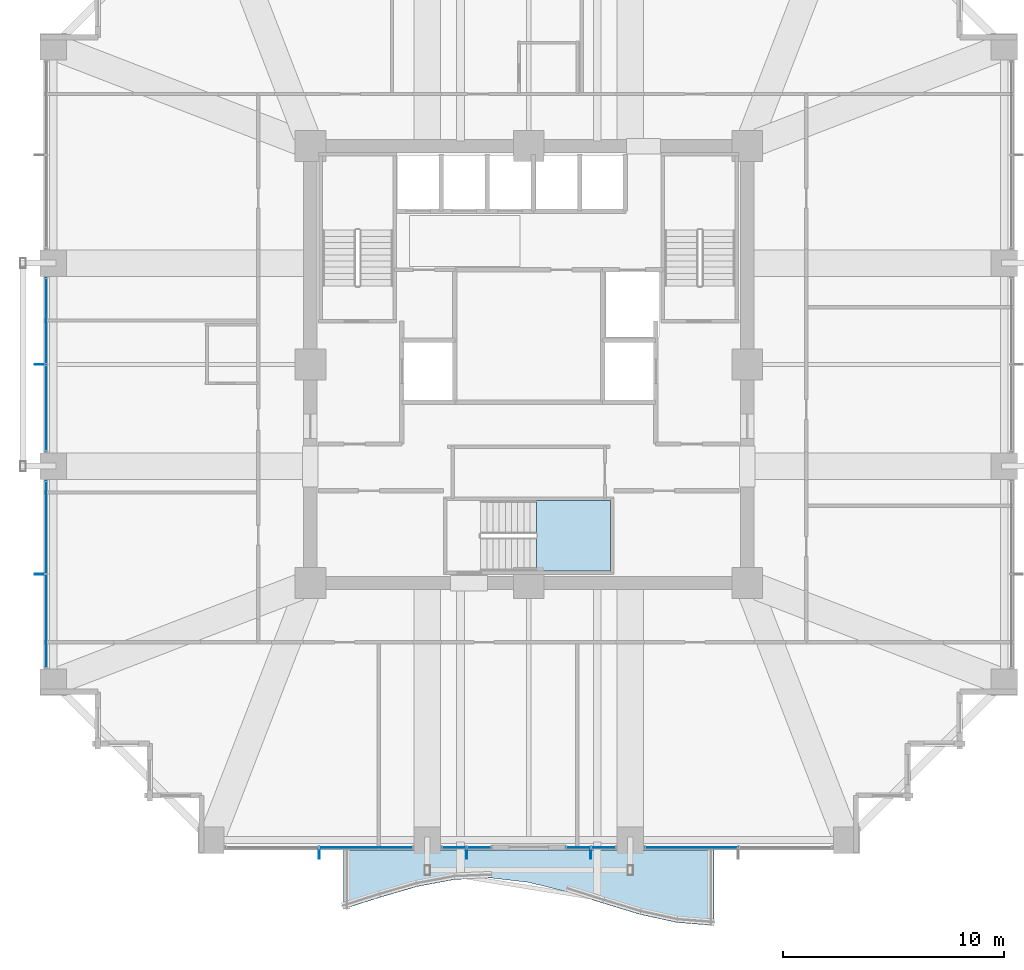
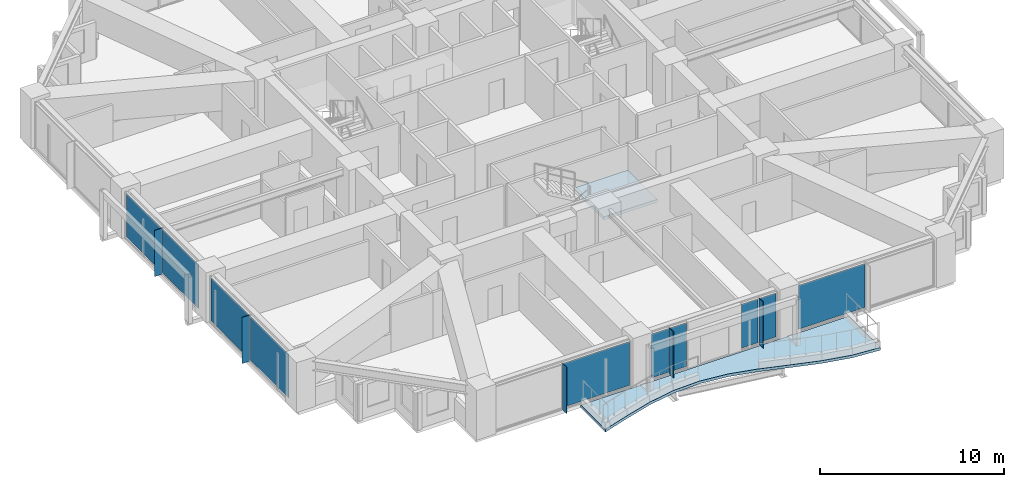
# One storey, part 26 of 37: 15 plates, 2 slabs, 7 elements without a shape of their own.
"""IFC4 building model written with IfcOpenShell, lengths in metres."""

from ifc_helpers import new_model, si_unit, direction, frame, origin, origin_2d, place, context, subcontext, project, spatial, polyline, rectangle, outline, extrude, material, layer, layer_set, type_object, element, aggregate, save


model = new_model("IFC4")

# Units and contexts
model_context = context("Model", 3, precision=1e-05, world=origin(), true_north=direction((0.0, 1.0)))
body_context = subcontext(model_context, "Body", "Model", "MODEL_VIEW")
ifc_project = project(units=[si_unit("LENGTHUNIT", "METRE"), si_unit("AREAUNIT", "SQUARE_METRE"), si_unit("VOLUMEUNIT", "CUBIC_METRE"), si_unit("PLANEANGLEUNIT", "RADIAN"), si_unit("MASSUNIT", "GRAM", prefix="KILO")], contexts=[model_context])

# Site, building, storey
site_placement = place(None, origin())
site = spatial("IfcSite", under=ifc_project, at=site_placement, CompositionType="ELEMENT")
building_placement = place(site_placement, origin())
building = spatial("IfcBuilding", under=site, at=building_placement, Name="Kolvaren Belvedere", CompositionType="ELEMENT")
storey_placement = place(building_placement, frame((0.0, 0.0, 56.800048828125)))
storey = spatial("IfcBuildingStorey", under=building, at=storey_placement, Name="L16", CompositionType="ELEMENT", Elevation=56.800048828125)

# Curtain wall, plate
ifc_material_1 = material(Name="Anodised pale-metal aluminium AA 6063-T6", Category="aluminium")
curtain_wall_type = type_object("IfcCurtainWallType", Name="CW-Z1-LOW", PredefinedType="NOTDEFINED", material=ifc_material_1)
curtain_wall_1_placement = place(storey_placement, origin())
curtain_wall_1 = element("IfcCurtainWall", 1, at=curtain_wall_1_placement, inside=storey, type_object=curtain_wall_type, Name="L16 Unitised Curtain Wall FCW-L16-S1-B1", PredefinedType="NOTDEFINED")
ifc_material_2 = material(Name="Low-iron triple insulated glass", Category="glass")
ifc_layer_1 = layer(ifc_material_2, 0.028076171875)
ifc_layer_set_1 = layer_set([ifc_layer_1], Name="Low-iron triple insulated glass")
plate_type_1 = type_object("IfcPlateType", Name="CW-PNL-VIS28", PredefinedType="CURTAIN_PANEL", material=ifc_layer_set_1)
plate_1_placement = place(storey_placement, frame((7.37744140625, -21.8798828125, 0.080078125), z_axis=(0.0, 0.0, 1.0), x_axis=(-1.0, 0.0, 0.0)))
plate_1 = element("IfcPlate", 2, at=plate_1_placement, type_object=plate_type_1, Name="FCW-L16-S1-B1 Vision Glazing Panel 2", PredefinedType="CURTAIN_PANEL", context=body_context, shape_type="SweptSolid", body=[
    extrude(rectangle(XDim=4.1650390625, YDim=0.028076171875, at=origin_2d()), origin(), (0.0, 0.0, 1.0), 2.89990234375),
])
aggregate(curtain_wall_1, [plate_1])

# Curtain wall, plates
curtain_wall_2_placement = place(storey_placement, origin())
curtain_wall_2 = element("IfcCurtainWall", 3, at=curtain_wall_2_placement, inside=storey, type_object=curtain_wall_type, Name="L16 Unitised Curtain Wall FCW-L16-S1-B2", PredefinedType="NOTDEFINED")
plate_2_placement = place(storey_placement, frame((3.37890625, -21.8798828125, 0.080078125), z_axis=(0.0, 0.0, 1.0), x_axis=(-1.0, 0.0, 0.0)))
plate_2 = element("IfcPlate", 4, at=plate_2_placement, type_object=plate_type_1, Name="FCW-L16-S1-B2 Vision Glazing Panel 1", PredefinedType="CURTAIN_PANEL", context=body_context, shape_type="SweptSolid", body=[
    extrude(rectangle(XDim=1.052490234375, YDim=0.028076171875, at=origin_2d()), origin(), (0.0, 0.0, 1.0), 2.89990234375),
])
plate_3_placement = place(storey_placement, frame((2.24609375, -21.8798828125, 0.080078125), z_axis=(0.0, 0.0, 1.0), x_axis=(-1.0, 0.0, 0.0)))
plate_3 = element("IfcPlate", 5, at=plate_3_placement, type_object=plate_type_1, Name="FCW-L16-S1-B2 Vision Glazing Panel 2", PredefinedType="CURTAIN_PANEL", context=body_context, shape_type="SweptSolid", body=[
    extrude(rectangle(XDim=1.052490234375, YDim=0.028076171875, at=origin_2d()), origin(), (0.0, 0.0, 1.0), 2.89990234375),
])
aggregate(curtain_wall_2, [plate_2, plate_3])

curtain_wall_3_placement = place(storey_placement, origin())
curtain_wall_3 = element("IfcCurtainWall", 6, at=curtain_wall_3_placement, inside=storey, type_object=curtain_wall_type, Name="L16 Unitised Curtain Wall FCW-L16-S2-B1", PredefinedType="NOTDEFINED")
plate_4_placement = place(storey_placement, frame((-2.24609375, -21.8798828125, 0.080078125), z_axis=(0.0, 0.0, 1.0), x_axis=(-1.0, 0.0, 0.0)))
plate_4 = element("IfcPlate", 7, at=plate_4_placement, type_object=plate_type_1, Name="FCW-L16-S2-B1 Vision Glazing Panel 1", PredefinedType="CURTAIN_PANEL", context=body_context, shape_type="SweptSolid", body=[
    extrude(rectangle(XDim=1.052490234375, YDim=0.028076171875, at=origin_2d()), origin(), (0.0, 0.0, 1.0), 2.89990234375),
])
plate_5_placement = place(storey_placement, frame((-3.378662109375, -21.8798828125, 0.080078125), z_axis=(0.0, 0.0, 1.0), x_axis=(-1.0, 0.0, 0.0)))
plate_5 = element("IfcPlate", 8, at=plate_5_placement, type_object=plate_type_1, Name="FCW-L16-S2-B1 Vision Glazing Panel 2", PredefinedType="CURTAIN_PANEL", context=body_context, shape_type="SweptSolid", body=[
    extrude(rectangle(XDim=1.052490234375, YDim=0.028076171875, at=origin_2d()), origin(), (0.0, 0.0, 1.0), 2.89990234375),
])
aggregate(curtain_wall_3, [plate_4, plate_5])

# Curtain wall, plate
curtain_wall_4_placement = place(storey_placement, origin())
curtain_wall_4 = element("IfcCurtainWall", 9, at=curtain_wall_4_placement, inside=storey, type_object=curtain_wall_type, Name="L16 Unitised Curtain Wall FCW-L16-S2-B2", PredefinedType="NOTDEFINED")
plate_6_placement = place(storey_placement, frame((-7.37744140625, -21.8798828125, 0.080078125), z_axis=(0.0, 0.0, 1.0), x_axis=(-1.0, 0.0, 0.0)))
plate_6 = element("IfcPlate", 10, at=plate_6_placement, type_object=plate_type_1, Name="FCW-L16-S2-B2 Vision Glazing Panel 1", PredefinedType="CURTAIN_PANEL", context=body_context, shape_type="SweptSolid", body=[
    extrude(rectangle(XDim=4.1650390625, YDim=0.028076171875, at=origin_2d()), origin(), (0.0, 0.0, 1.0), 2.89990234375),
])
aggregate(curtain_wall_4, [plate_6])

# Curtain wall, plates
curtain_wall_5_placement = place(storey_placement, origin())
curtain_wall_5 = element("IfcCurtainWall", 11, at=curtain_wall_5_placement, inside=storey, type_object=curtain_wall_type, Name="L16 Unitised Curtain Wall FCW-L16-W-B1", PredefinedType="NOTDEFINED")
plate_7_placement = place(storey_placement, frame((-21.8798828125, -11.62255859375, 0.080078125), z_axis=(0.0, 0.0, 1.0), x_axis=(0.0, 1.0, 0.0)))
plate_7 = element("IfcPlate", 12, at=plate_7_placement, type_object=plate_type_1, Name="FCW-L16-W-B1 Vision Glazing Panel 1", PredefinedType="CURTAIN_PANEL", context=body_context, shape_type="SweptSolid", body=[
    extrude(rectangle(XDim=4.1650390625, YDim=0.028076171875, at=origin_2d()), origin(), (0.0, 0.0, 1.0), 2.89990234375),
])
plate_8_placement = place(storey_placement, frame((-21.8798828125, -7.37744140625, 0.080078125), z_axis=(0.0, 0.0, 1.0), x_axis=(0.0, 1.0, 0.0)))
plate_8 = element("IfcPlate", 13, at=plate_8_placement, type_object=plate_type_1, Name="FCW-L16-W-B1 Vision Glazing Panel 2", PredefinedType="CURTAIN_PANEL", context=body_context, shape_type="SweptSolid", body=[
    extrude(rectangle(XDim=4.1650390625, YDim=0.028076171875, at=origin_2d()), origin(), (0.0, 0.0, 1.0), 2.89990234375),
])
aggregate(curtain_wall_5, [plate_7, plate_8])

curtain_wall_6_placement = place(storey_placement, origin())
curtain_wall_6 = element("IfcCurtainWall", 14, at=curtain_wall_6_placement, inside=storey, type_object=curtain_wall_type, Name="L16 Unitised Curtain Wall FCW-L16-W-B2", PredefinedType="NOTDEFINED")
plate_9_placement = place(storey_placement, frame((-21.8798828125, -1.972412109375, 0.080078125), z_axis=(0.0, 0.0, 1.0), x_axis=(0.0, 1.0, 0.0)))
plate_9 = element("IfcPlate", 15, at=plate_9_placement, type_object=plate_type_1, Name="FCW-L16-W-B2 Vision Glazing Panel 1", PredefinedType="CURTAIN_PANEL", context=body_context, shape_type="SweptSolid", body=[
    extrude(rectangle(XDim=3.864990234375, YDim=0.028076171875, at=origin_2d()), origin(), (0.0, 0.0, 1.0), 2.89990234375),
])
plate_10_placement = place(storey_placement, frame((-21.8798828125, 1.972412109375, 0.080078125), z_axis=(0.0, 0.0, 1.0), x_axis=(0.0, 1.0, 0.0)))
plate_10 = element("IfcPlate", 16, at=plate_10_placement, type_object=plate_type_1, Name="FCW-L16-W-B2 Vision Glazing Panel 2", PredefinedType="CURTAIN_PANEL", context=body_context, shape_type="SweptSolid", body=[
    extrude(rectangle(XDim=3.864990234375, YDim=0.028076171875, at=origin_2d()), origin(), (0.0, 0.0, 1.0), 2.89990234375),
])
aggregate(curtain_wall_6, [plate_9, plate_10])

# Plates
ifc_material_3 = material(Name="Anodised pale-metal aluminium AA 6063-T6", Category="aluminium")
ifc_layer_2 = layer(ifc_material_3, 0.0380859375)
ifc_layer_set_2 = layer_set([ifc_layer_2], Name="Anodised pale-metal aluminium AA 6063-T6")
plate_type_2 = type_object("IfcPlateType", Name="FIN-VERT-450", PredefinedType="USERDEFINED", material=ifc_layer_set_2)
for number, where, z_axis, x_axis, name in (
    (17, (2.8125, -22.1650390625, 0.0), (0.0, 0.0, 1.0), (0.0, 1.0, 0.0), "L16 Pale-Metal Vertical Shading Fin FCW-L16-S1-B2-1"),
    (18, (-2.8125, -22.1650390625, 0.0), (0.0, 0.0, 1.0), (0.0, 1.0, 0.0), "L16 Pale-Metal Vertical Shading Fin FCW-L16-S2-B1-1"),
    (19, (-9.5, -22.1650390625, 0.0), (0.0, 0.0, 1.0), (0.0, 1.0, 0.0), "L16 Pale-Metal Vertical Shading Fin FCW-L16-S2-B2-1"),
    (20, (-22.1650390625, -9.5, 0.0), (0.0, 0.0, 1.0), (1.0, 0.0, 0.0), "L16 Pale-Metal Vertical Shading Fin FCW-L16-W-B1-1"),
    (21, (-22.1650390625, 0.0, 0.0), (0.0, 0.0, 1.0), (1.0, 0.0, 0.0), "L16 Pale-Metal Vertical Shading Fin FCW-L16-W-B2-1"),
):
    element("IfcPlate", number, at=place(storey_placement, frame(where, z_axis=z_axis, x_axis=x_axis)), inside=storey, type_object=plate_type_2, Name=name, ObjectType="VERTICAL FIN", PredefinedType="USERDEFINED", context=body_context, shape_type="SweptSolid", body=[
        extrude(rectangle(XDim=0.449951171875, YDim=0.0380859375, at=origin_2d()), origin(), (0.0, 0.0, 1.0), 3.06005859375),
    ])

# Slab
ifc_material_4 = material(Name="Concrete C50/60", Category="concrete")
ifc_layer_3 = layer(ifc_material_4, 0.179931640625)
ifc_layer_set_3 = layer_set([ifc_layer_3], Name="Concrete C50/60")
slab_type_1 = type_object("IfcSlabType", Name="SL-BAL-180", PredefinedType="FLOOR", material=ifc_layer_set_3)
slab_1_placement = place(storey_placement, frame((0.0, 0.0, -0.239990234375)))
element("IfcSlab", 22, at=slab_1_placement, inside=storey, type_object=slab_type_1, Name="L16 Planted Balcony BAL-S", PredefinedType="FLOOR", context=body_context, shape_type="SweptSolid", body=[
    extrude(outline(polyline([(-8.39990234375, -24.673583984375), (-6.719970703125, -24.1376953125), (-5.0400390625, -23.651611328125), (-3.360107421875, -23.335693359375), (-1.679931640625, -23.2685546875), (0.0, -23.46630859375), (1.679931640625, -23.880126953125), (3.360107421875, -24.40771484375), (5.0400390625, -24.918701171875), (6.719970703125, -25.286376953125), (8.39990234375, -25.419921875), (8.39990234375, -22.0), (6.719970703125, -22.0), (5.0400390625, -22.0), (3.360107421875, -22.0), (1.679931640625, -22.0), (0.0, -22.0), (-1.679931640625, -22.0), (-3.360107421875, -22.0), (-5.0400390625, -22.0), (-6.719970703125, -22.0), (-8.39990234375, -22.0), (-8.39990234375, -24.673583984375)])), origin(), (0.0, 0.0, 1.0), 0.179931640625),
])

# Stair, slab
ifc_material_5 = material(Name="Concrete C50/60", Category="concrete")
stair_type = type_object("IfcStairType", Name="ST-CORE-1520", PredefinedType="HALF_TURN_STAIR", material=ifc_material_5)
stair_placement = place(storey_placement, origin())
stair = element("IfcStair", 23, at=stair_placement, inside=storey, type_object=stair_type, Name="L16 Protected Exit Stair ST-3", PredefinedType="HALF_TURN_STAIR")
ifc_material_6 = material(Name="Concrete C50/60", Category="concrete")
ifc_layer_4 = layer(ifc_material_6, 0.260009765625)
ifc_layer_set_4 = layer_set([ifc_layer_4], Name="Concrete C50/60")
slab_type_2 = type_object("IfcSlabType", Name="SL-LAND-260", PredefinedType="LANDING", material=ifc_layer_set_4)
slab_2_placement = place(storey_placement, frame((0.0, 0.0, 1.449951171875)))
slab_2 = element("IfcSlab", 24, at=slab_2_placement, type_object=slab_type_2, Name="ST-3 landing 1", PredefinedType="LANDING", context=body_context, shape_type="SweptSolid", body=[
    extrude(outline(polyline([(0.340087890625, -9.35009765625), (3.699951171875, -9.35009765625), (3.699951171875, -6.159912109375), (0.340087890625, -6.159912109375), (0.340087890625, -9.35009765625)])), origin(), (0.0, 0.0, 1.0), 0.199951171875),
])
aggregate(stair, [slab_2])

save(model, "model.ifc")
